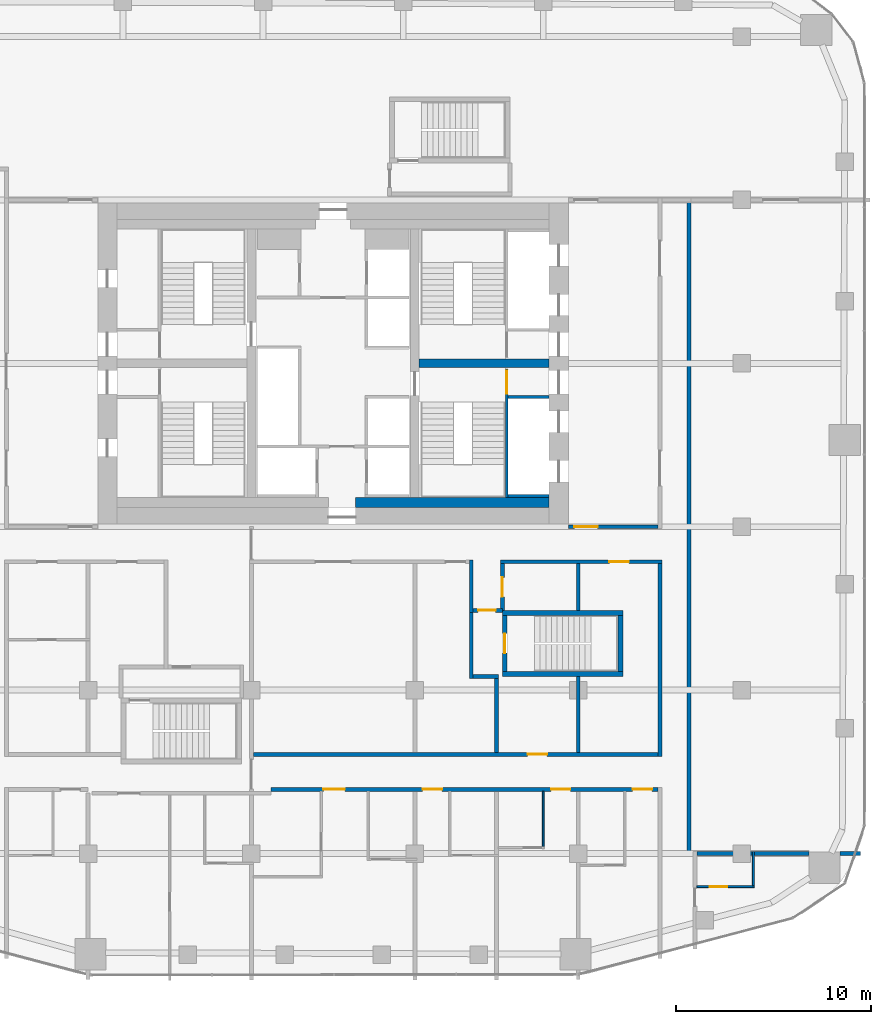
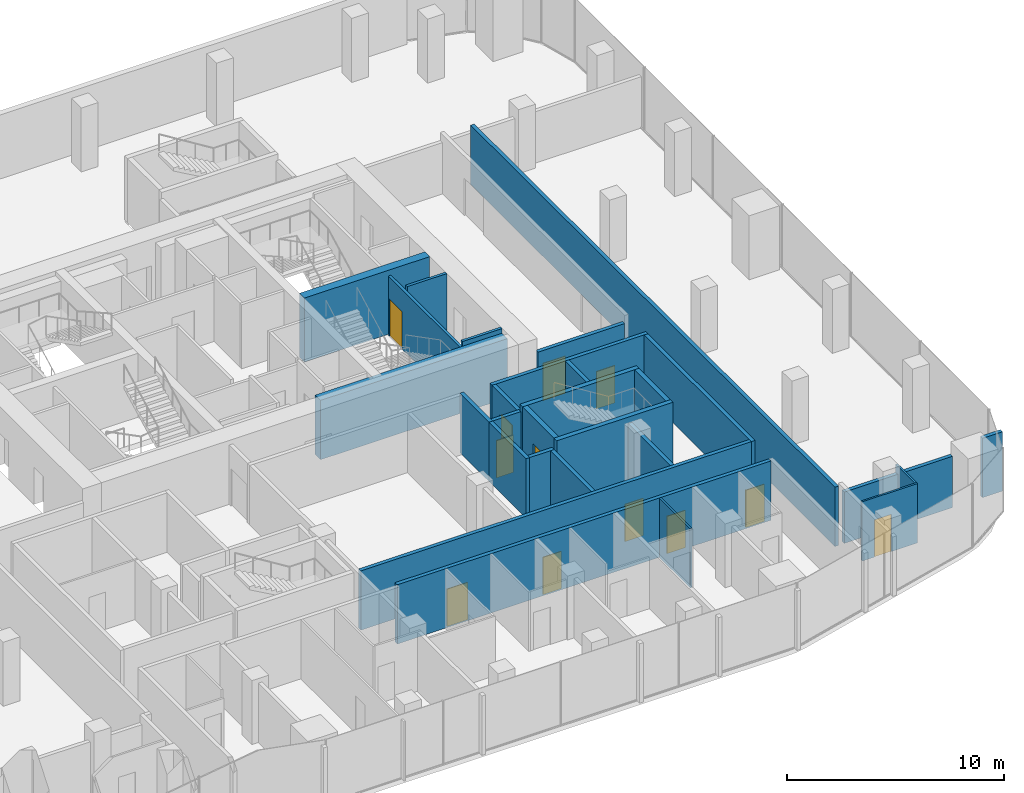
# One storey, part 16 of 21: 28 walls, 12 doors, 12 openings.
"""IFC4 building model written with IfcOpenShell, lengths in metres."""

import ifcopenshell
import ifcopenshell.guid

model = None  # the IFC model being written
_history = None  # IfcOwnerHistory: only IFC2X3 demands one
_inside = {}  # id of a spatial element -> (the spatial element, [elements in it])
_under = {}  # id of a project, library or spatial element -> (it, [spatial elements below it])
_declared = {}  # id of a project -> (the project, [libraries it declares])
_typed = {}  # id of a type object -> (the type object, [elements of that type])
_made_of = {}  # id of a material, layer set ... -> (it, [elements and type objects made of it])


def new_model(schema):
    """Start an empty IFC model of exactly this schema.

    Asked for "IFC4X3", IfcOpenShell would pick the latest addendum, in which some entities
    have other attributes; the version numbers below select the first issue.
    IFC2X3 requires an IfcOwnerHistory on every rooted entity: one is made here for all.
    """
    global model, _history
    if schema == "IFC4X3":
        model = ifcopenshell.file(schema_version=(4, 3, 0, 0))
    else:
        model = ifcopenshell.file(schema=schema)
    _inside.clear()
    _under.clear()
    _declared.clear()
    _typed.clear()
    _made_of.clear()
    _history = None
    if model.schema == "IFC2X3":
        org = make("IfcOrganization", Name="unknown")
        user = make(
            "IfcPersonAndOrganization",
            ThePerson=make("IfcPerson", FamilyName="unknown"),
            TheOrganization=org,
        )
        app = make(
            "IfcApplication",
            ApplicationDeveloper=org,
            Version="unknown",
            ApplicationFullName="unknown",
            ApplicationIdentifier="unknown",
        )
        _history = make(
            "IfcOwnerHistory",
            OwningUser=user,
            OwningApplication=app,
            ChangeAction="ADDED",
            CreationDate=0,
        )
    return model


def make(cls, **values):
    """One entity of the class cls with the attributes given. An attribute that is None is left unset."""
    return model.create_entity(
        cls, **{name: value for name, value in values.items() if value is not None}
    )


def rooted(cls, **values):
    """An entity with a GlobalId (a new one), such as an element, a storey or a relation."""
    return make(cls, GlobalId=ifcopenshell.guid.new(), OwnerHistory=_history, **values)


def si_unit(unit_type, name, prefix=None):
    """IfcSIUnit, for example si_unit("LENGTHUNIT", "METRE", prefix="MILLI")."""
    return make("IfcSIUnit", UnitType=unit_type, Prefix=prefix, Name=name)


def assignment(units):
    """IfcUnitAssignment: the units of a project."""
    return None if units is None else make("IfcUnitAssignment", Units=units)


def point(xyz):
    """IfcCartesianPoint."""
    return None if xyz is None else make("IfcCartesianPoint", Coordinates=xyz)


def direction(xyz):
    """IfcDirection."""
    return None if xyz is None else make("IfcDirection", DirectionRatios=xyz)


def frame(location, z_axis=None, x_axis=None):
    """IfcAxis2Placement3D, a coordinate frame: its origin and axes. An axis left out is left unset."""
    return make(
        "IfcAxis2Placement3D",
        Location=point(location),
        Axis=direction(z_axis),
        RefDirection=direction(x_axis),
    )


def frame_2d(location, x_axis=None):
    """IfcAxis2Placement2D, a coordinate frame in the plane: its origin and x axis."""
    return make(
        "IfcAxis2Placement2D", Location=point(location), RefDirection=direction(x_axis)
    )


def origin():
    """The frame at (0, 0, 0) with its axes left unset."""
    return frame((0.0, 0.0, 0.0))


def place(relative_to, where):
    """IfcLocalPlacement: puts the frame where relative to a parent placement (None: the world)."""
    return make(
        "IfcLocalPlacement", PlacementRelTo=relative_to, RelativePlacement=where
    )


def context(
    kind, dimensions, precision=None, world=None, true_north=None, identifier=None
):
    """IfcGeometricRepresentationContext, for example the 3D "Model" context."""
    return make(
        "IfcGeometricRepresentationContext",
        ContextIdentifier=identifier,
        ContextType=kind,
        CoordinateSpaceDimension=dimensions,
        Precision=precision,
        WorldCoordinateSystem=world,
        TrueNorth=true_north,
    )


def subcontext(parent, identifier, kind, view, scale=None):
    """IfcGeometricRepresentationSubContext, for example "Body" below "Model"."""
    return make(
        "IfcGeometricRepresentationSubContext",
        ContextIdentifier=identifier,
        ContextType=kind,
        ParentContext=parent,
        TargetScale=scale,
        TargetView=view,
    )


def project(units=None, contexts=None):
    """IfcProject with its units and contexts."""
    return rooted(
        "IfcProject",
        Name="project",
        RepresentationContexts=contexts,
        UnitsInContext=assignment(units),
    )


def spatial(cls, under=None, at=None, **own):
    """A site, building, storey or space (cls), placed at a placement, below another one or the project."""
    s = rooted(cls, ObjectPlacement=at, **own)
    if under is not None:
        _under.setdefault(under.id(), (under, []))[1].append(s)
    return s


def profile(cls, at=None, kind="AREA", **sizes):
    """A parametric profile (cls). Its sizes go by their IFC names, for example OverallWidth=200.0."""
    return make(cls, ProfileType=kind, Position=at, **sizes)


def rectangle(**sizes):
    """IfcRectangleProfileDef."""
    return profile("IfcRectangleProfileDef", **sizes)


def extrude(swept, where, along, depth):
    """IfcExtrudedAreaSolid: the profile swept, set in the frame where, extruded along a direction by depth."""
    return make(
        "IfcExtrudedAreaSolid",
        SweptArea=swept,
        Position=where,
        ExtrudedDirection=direction(along),
        Depth=depth,
    )


def shape(context_of_items, identifier, shape_type, items):
    """IfcShapeRepresentation: the items that make up one representation, for example the "Body"."""
    return make(
        "IfcShapeRepresentation",
        ContextOfItems=context_of_items,
        RepresentationIdentifier=identifier,
        RepresentationType=shape_type,
        Items=items,
    )


def material(Name=None, Category=None):
    """IfcMaterial."""
    return make("IfcMaterial", Name=Name, Category=Category)


def layer(
    of_material, thickness, ventilated=None, Name=None, Category=None, Priority=None
):
    """IfcMaterialLayer: one layer of a wall or slab, of a material (None: an air gap)."""
    return make(
        "IfcMaterialLayer",
        Material=of_material,
        LayerThickness=thickness,
        IsVentilated=ventilated,
        Name=Name,
        Category=Category,
        Priority=Priority,
    )


def layer_set(layers, Name=None):
    """IfcMaterialLayerSet."""
    return make("IfcMaterialLayerSet", MaterialLayers=layers, LayerSetName=Name)


def made_of(thing, what):
    """Note that an element or type object is made of a material, layer set ...; save() writes the relation."""
    if what is not None:
        _made_of.setdefault(what.id(), (what, []))[1].append(thing)
    return thing


def type_object(cls, material=None, **own):
    """A type object (cls), such as IfcWallType, which elements share."""
    return made_of(rooted(cls, **own), material)


def element(
    cls,
    number,
    at=None,
    inside=None,
    cuts=None,
    type_object=None,
    material=None,
    context=None,
    identifier="Body",
    shape_type=None,
    held_by="IfcProductDefinitionShape",
    body=None,
    shapes=None,
    **own,
):
    """One element of the class cls, such as IfcWall. Its Tag is "e" and its number.

    at: its placement. inside: the storey or other place that contains it. cuts: it is an
    opening in that element (IfcRelVoidsElement). A single representation is given by context,
    identifier, shape_type and body (its items); several are given by shapes. held_by: the class
    of the entity that holds the representations. save() writes the other relations.
    """
    e = rooted(cls, Tag="e%d" % number, ObjectPlacement=at, **own)
    if body is not None:
        shapes = [shape(context, identifier, shape_type, body)]
    if shapes is not None:
        e.Representation = make(held_by, Representations=shapes)
    if inside is not None:
        _inside.setdefault(inside.id(), (inside, []))[1].append(e)
    if cuts is not None:
        rooted(
            "IfcRelVoidsElement", RelatingBuildingElement=cuts, RelatedOpeningElement=e
        )
    if type_object is not None:
        _typed.setdefault(type_object.id(), (type_object, []))[1].append(e)
    return made_of(e, material)


def fill(opening, filler):
    """IfcRelFillsElement: the door or window that sits in an opening."""
    return rooted(
        "IfcRelFillsElement",
        RelatingOpeningElement=opening,
        RelatedBuildingElement=filler,
    )


def aggregate(whole, parts):
    """IfcRelAggregates: a whole, such as a stair, and the parts it consists of."""
    return rooted("IfcRelAggregates", RelatingObject=whole, RelatedObjects=parts)


def save(model, path):
    """Write the relations noted so far, then the file.

    IfcRelAggregates (storeys below a building ...), IfcRelContainedInSpatialStructure (elements
    in a storey), IfcRelDefinesByType, IfcRelAssociatesMaterial and IfcRelDeclares: one each for
    every whole, place, type object, material and project.
    """
    for whole, parts in _under.values():
        aggregate(whole, parts)
    for where, things in _inside.values():
        rooted(
            "IfcRelContainedInSpatialStructure",
            RelatedElements=things,
            RelatingStructure=where,
        )
    for kind, things in _typed.values():
        rooted("IfcRelDefinesByType", RelatedObjects=things, RelatingType=kind)
    for what, things in _made_of.values():
        rooted("IfcRelAssociatesMaterial", RelatedObjects=things, RelatingMaterial=what)
    for by, libraries in _declared.values():
        rooted("IfcRelDeclares", RelatingContext=by, RelatedDefinitions=libraries)
    model.write(path)


model = new_model("IFC4")

# Units and contexts
model_context = context("Model", 3, precision=1e-05, world=origin(), true_north=direction((0.0, 1.0)))
body_context = subcontext(model_context, "Body", "Model", "MODEL_VIEW")
ifc_project = project(units=[si_unit("LENGTHUNIT", "METRE"), si_unit("AREAUNIT", "SQUARE_METRE"), si_unit("VOLUMEUNIT", "CUBIC_METRE"), si_unit("PLANEANGLEUNIT", "RADIAN"), si_unit("MASSUNIT", "GRAM", prefix="KILO")], contexts=[model_context])

# Site, building, storey
site_placement = place(None, origin())
site = spatial("IfcSite", under=ifc_project, at=site_placement, CompositionType="ELEMENT")
building_placement = place(site_placement, origin())
building = spatial("IfcBuilding", under=site, at=building_placement, Name="Marenta Gate Hotel Tower", CompositionType="ELEMENT")
storey_placement = place(building_placement, frame((0.0, 0.0, 133.699951171875)))
storey = spatial("IfcBuildingStorey", under=building, at=storey_placement, Name="L30", CompositionType="ELEMENT", Elevation=133.699951171875)

# Wall, opening, door
ifc_material_1 = material(Name="Concrete blockwork", Category="masonry")
ifc_layer_1 = layer(ifc_material_1, 0.199951171875)
ifc_layer_set_1 = layer_set([ifc_layer_1], Name="Concrete blockwork")
wall_type_1 = type_object("IfcWallType", Name="Core boundary wall 200 REI 180", PredefinedType="PARTITIONING", material=ifc_layer_set_1)
wall_1_placement = place(storey_placement, frame((12.10009765625, 0.0, 0.0), z_axis=(0.0, 0.0, 1.0), x_axis=(1.0, 0.0, 0.0)))
wall_1 = element("IfcWall", 1, at=wall_1_placement, inside=storey, type_object=wall_type_1, Name="L30-CP-EW-ES", PredefinedType="PARTITIONING", context=body_context, shape_type="SweptSolid", body=[
    extrude(rectangle(XDim=4.599853515625, YDim=0.199951171875, at=frame_2d((2.2998046875, 0.0))), origin(), (0.0, 0.0, 1.0), 2.89013671875),
])
opening_1_placement = place(wall_1_placement, frame((0.300048828125, 0.0, 0.0)))
opening_1 = element("IfcOpeningElement", 2, at=opening_1_placement, cuts=wall_1, Name="Opening RFD-ES", PredefinedType="OPENING", context=body_context, shape_type="SweptSolid", body=[
    extrude(rectangle(XDim=1.199951171875, YDim=2.10009765625, at=frame_2d((0.60009765625, 1.050048828125))), frame((0.0, 0.10009765625, 0.0), z_axis=(0.0, -1.0, 0.0), x_axis=(1.0, 0.0, 0.0)), (0.0, 0.0, 1.0), 0.199951171875),
])
ifc_material_2 = material(Name="Steel", Category="steel")
door_type_1 = type_object("IfcDoorType", Name="Core lobby door 1200x2100 FD60", OperationType="SINGLE_SWING_LEFT", PredefinedType="DOOR", material=ifc_material_2)
door_1_placement = place(opening_1_placement, origin())
door_1 = element("IfcDoor", 3, at=door_1_placement, inside=storey, type_object=door_type_1, Name="RFD-ES", OperationType="SINGLE_SWING_LEFT", OverallHeight=2.10009765625, OverallWidth=1.199951171875, PredefinedType="DOOR", context=body_context, shape_type="SweptSolid", body=[
    extrude(rectangle(XDim=1.199951171875, YDim=2.10009765625, at=frame_2d((0.60009765625, 1.050048828125))), frame((0.0, 0.02490234375, 0.0), z_axis=(0.0, -1.0, 0.0), x_axis=(1.0, 0.0, 0.0)), (0.0, 0.0, 1.0), 0.050048828125),
])
fill(opening_1, door_1)

# Walls
ifc_material_3 = material(Name="Concrete C40", Category="concrete")
ifc_layer_2 = layer(ifc_material_3, 0.5)
ifc_layer_set_2 = layer_set([ifc_layer_2], Name="Concrete C40")
wall_type_2 = type_object("IfcWallType", Name="Core lining wall 500 REI 180", PredefinedType="PARTITIONING", material=ifc_layer_set_2)
wall_2_placement = place(storey_placement, frame((1.14990234375, 1.25, 0.0), z_axis=(0.0, 0.0, 1.0), x_axis=(1.0, 0.0, 0.0)))
element("IfcWall", 4, at=wall_2_placement, inside=storey, type_object=wall_type_2, Name="L30-CP-LN-S2", PredefinedType="PARTITIONING", context=body_context, shape_type="SweptSolid", body=[
    extrude(rectangle(XDim=9.9501953125, YDim=0.5, at=frame_2d((4.97509765625, 0.0))), origin(), (0.0, 0.0, 1.0), 3.340087890625),
])
ifc_material_4 = material(Name="Concrete C40", Category="concrete")
ifc_layer_3 = layer(ifc_material_4, 0.14990234375)
ifc_layer_set_3 = layer_set([ifc_layer_3], Name="Concrete C40")
wall_type_3 = type_object("IfcWallType", Name="Core shaft wall 150 REI 180", PredefinedType="SHEAR", material=ifc_layer_set_3)
for number, where, z_axis, x_axis, name in (
    (5, (9.0, 6.675048828125, 0.0), (0.0, 0.0, 1.0), (1.0, 0.0, 0.0), "L30-SHF-SW-ES-2"),
    (6, (9.0, 1.574951171875, 0.0), (0.0, 0.0, 1.0), (1.0, 0.0, 0.0), "L30-SHF-SW-ES-5"),
):
    element("IfcWall", number, at=place(storey_placement, frame(where, z_axis=z_axis, x_axis=x_axis)), inside=storey, type_object=wall_type_3, Name=name, PredefinedType="SHEAR", context=body_context, shape_type="SweptSolid", body=[
        extrude(rectangle(XDim=2.10009765625, YDim=0.14990234375, at=frame_2d((1.050048828125, 0.0))), origin(), (0.0, 0.0, 1.0), 3.60009765625),
    ])

# Wall, opening, door
ifc_material_5 = material(Name="Concrete C40", Category="concrete")
ifc_layer_4 = layer(ifc_material_5, 0.14990234375)
ifc_layer_set_4 = layer_set([ifc_layer_4], Name="Concrete C40")
wall_type_4 = type_object("IfcWallType", Name="Core stair enclosure wall 150 REI 180", PredefinedType="SHEAR", material=ifc_layer_set_4)
wall_3_placement = place(storey_placement, frame((8.925048828125, 1.5, 0.0), z_axis=(0.0, 0.0, 1.0), x_axis=(0.0, 1.0, 0.0)))
wall_3 = element("IfcWall", 7, at=wall_3_placement, inside=storey, type_object=wall_type_4, Name="L30-SHF-SW-ES-3", PredefinedType="SHEAR", context=body_context, shape_type="SweptSolid", body=[
    extrude(rectangle(XDim=6.60009765625, YDim=0.14990234375, at=frame_2d((3.300048828125, 0.0))), origin(), (0.0, 0.0, 1.0), 3.340087890625),
])
opening_2_placement = place(wall_3_placement, frame((5.324951171875, 0.0, 0.0)))
opening_2 = element("IfcOpeningElement", 8, at=opening_2_placement, cuts=wall_3, Name="Opening SD-ES", PredefinedType="OPENING", context=body_context, shape_type="SweptSolid", body=[
    extrude(rectangle(XDim=1.199951171875, YDim=2.10009765625, at=frame_2d((0.60009765625, 1.050048828125))), frame((0.0, 0.074951171875, 0.0), z_axis=(0.0, -1.0, 0.0), x_axis=(1.0, 0.0, 0.0)), (0.0, 0.0, 1.0), 0.14990234375),
])
ifc_material_6 = material(Name="Steel", Category="steel")
door_type_2 = type_object("IfcDoorType", Name="Core stair door 1200x2100 FD60", OperationType="SINGLE_SWING_LEFT", PredefinedType="DOOR", material=ifc_material_6)
door_2_placement = place(opening_2_placement, origin())
door_2 = element("IfcDoor", 9, at=door_2_placement, inside=storey, type_object=door_type_2, Name="SD-ES", OperationType="SINGLE_SWING_LEFT", OverallHeight=2.10009765625, OverallWidth=1.199951171875, PredefinedType="DOOR", context=body_context, shape_type="SweptSolid", body=[
    extrude(rectangle(XDim=1.199951171875, YDim=2.10009765625, at=frame_2d((0.60009765625, 1.050048828125))), frame((0.0, 0.02490234375, 0.0), z_axis=(0.0, -1.0, 0.0), x_axis=(1.0, 0.0, 0.0)), (0.0, 0.0, 1.0), 0.050048828125),
])
fill(opening_2, door_2)

# Walls
ifc_material_7 = material(Name="Concrete C70", Category="concrete")
ifc_layer_5 = layer(ifc_material_7, 0.449951171875)
ifc_layer_set_5 = layer_set([ifc_layer_5], Name="Concrete C70")
wall_type_5 = type_object("IfcWallType", Name="Core web 450 C70", PredefinedType="SHEAR", material=ifc_layer_set_5)
wall_4_placement = place(storey_placement, frame((4.425048828125, 8.39990234375, 0.0), z_axis=(0.0, 0.0, 1.0), x_axis=(1.0, 0.0, 0.0)))
element("IfcWall", 10, at=wall_4_placement, inside=storey, type_object=wall_type_5, Name="L30-CORE-W4", PredefinedType="SHEAR", context=body_context, shape_type="SweptSolid", body=[
    extrude(rectangle(XDim=6.675048828125, YDim=0.449951171875, at=frame_2d((3.33740234375, 0.0))), origin(), (0.0, 0.0, 1.0), 3.60009765625),
])
ifc_material_8 = material(Name="Concrete C40", Category="concrete")
ifc_layer_6 = layer(ifc_material_8, 0.25)
ifc_layer_set_6 = layer_set([ifc_layer_6], Name="Concrete C40")
wall_type_6 = type_object("IfcWallType", Name="Remote stair enclosure wall 250 REI 180", PredefinedType="SHEAR", material=ifc_layer_set_6)
for number, where, z_axis, x_axis, name in (
    (11, (8.699951171875, -7.574951171875, 0.10009765625), (0.0, 0.0, 1.0), (1.0, 0.0, 0.0), "L30-RS-Z2-2-W1"),
    (12, (8.699951171875, -4.425048828125, 0.10009765625), (0.0, 0.0, 1.0), (1.0, 0.0, 0.0), "L30-RS-Z2-2-W2"),
):
    element("IfcWall", number, at=place(storey_placement, frame(where, z_axis=z_axis, x_axis=x_axis)), inside=storey, type_object=wall_type_6, Name=name, PredefinedType="SHEAR", context=body_context, shape_type="SweptSolid", body=[
        extrude(rectangle(XDim=6.199951171875, YDim=0.25, at=frame_2d((3.10009765625, 0.0))), origin(), (0.0, 0.0, 1.0), 3.599853515625),
    ])

# Wall, opening, door
wall_5_placement = place(storey_placement, frame((8.824951171875, -7.449951171875, 0.10009765625), z_axis=(0.0, 0.0, 1.0), x_axis=(0.0, 1.0, 0.0)))
wall_5 = element("IfcWall", 13, at=wall_5_placement, inside=storey, type_object=wall_type_6, Name="L30-RS-Z2-2-W3", PredefinedType="SHEAR", context=body_context, shape_type="SweptSolid", body=[
    extrude(rectangle(XDim=2.89990234375, YDim=0.25, at=frame_2d((1.449951171875, 0.0))), origin(), (0.0, 0.0, 1.0), 3.599853515625),
])
opening_3_placement = place(wall_5_placement, frame((0.949951171875, 0.0, 0.0)))
opening_3 = element("IfcOpeningElement", 14, at=opening_3_placement, cuts=wall_5, Name="Opening VD", PredefinedType="OPENING", context=body_context, shape_type="SweptSolid", body=[
    extrude(rectangle(XDim=1.0, YDim=2.10009765625, at=frame_2d((0.5, 1.050048828125))), frame((0.0, 0.125, 0.0), z_axis=(0.0, -1.0, 0.0), x_axis=(1.0, 0.0, 0.0)), (0.0, 0.0, 1.0), 0.25),
])
ifc_material_9 = material(Name="Steel", Category="steel")
door_type_3 = type_object("IfcDoorType", Name="Stair vestibule door 1000x2100 FD60", OperationType="SINGLE_SWING_LEFT", PredefinedType="DOOR", material=ifc_material_9)
door_3_placement = place(opening_3_placement, origin())
door_3 = element("IfcDoor", 15, at=door_3_placement, inside=storey, type_object=door_type_3, Name="VD", OperationType="SINGLE_SWING_LEFT", OverallHeight=2.10009765625, OverallWidth=1.0, PredefinedType="DOOR", context=body_context, shape_type="SweptSolid", body=[
    extrude(rectangle(XDim=1.0, YDim=2.10009765625, at=frame_2d((0.5, 1.050048828125))), frame((0.0, 0.02490234375, 0.0), z_axis=(0.0, -1.0, 0.0), x_axis=(1.0, 0.0, 0.0)), (0.0, 0.0, 1.0), 0.050048828125),
])
fill(opening_3, door_3)

# Walls
wall_6_placement = place(storey_placement, frame((14.77490234375, -7.449951171875, 0.10009765625), z_axis=(0.0, 0.0, 1.0), x_axis=(0.0, 1.0, 0.0)))
element("IfcWall", 16, at=wall_6_placement, inside=storey, type_object=wall_type_6, Name="L30-RS-Z2-2-W4", PredefinedType="SHEAR", context=body_context, shape_type="SweptSolid", body=[
    extrude(rectangle(XDim=2.89990234375, YDim=0.25, at=frame_2d((1.449951171875, 0.0))), origin(), (0.0, 0.0, 1.0), 3.599853515625),
])
ifc_material_10 = material(Name="Gypsum board on steel stud", Category="steel")
ifc_layer_7 = layer(ifc_material_10, 0.199951171875)
ifc_layer_set_7 = layer_set([ifc_layer_7], Name="Gypsum board on steel stud")
wall_type_7 = type_object("IfcWallType", Name="Room corridor wall 200 EI 60", PredefinedType="PARTITIONING", material=ifc_layer_set_7)
wall_7_placement = place(storey_placement, frame((16.800048828125, -11.800048828125, 0.0), z_axis=(0.0, 0.0, 1.0), x_axis=(0.0, 1.0, 0.0)))
element("IfcWall", 17, at=wall_7_placement, inside=storey, type_object=wall_type_7, Name="L30-PTN-W013", PredefinedType="PARTITIONING", context=body_context, shape_type="SweptSolid", body=[
    extrude(rectangle(XDim=9.900146484375, YDim=0.199951171875, at=frame_2d((4.9501953125, 0.0))), origin(), (0.0, 0.0, 1.0), 3.340087890625),
])

# Wall, openings, doors
wall_8_placement = place(storey_placement, frame((-3.199951171875, -13.5, 0.0), z_axis=(0.0, 0.0, 1.0), x_axis=(1.0, 0.0, 0.0)))
wall_8 = element("IfcWall", 18, at=wall_8_placement, inside=storey, type_object=wall_type_7, Name="L30-PTN-W021", PredefinedType="PARTITIONING", context=body_context, shape_type="SweptSolid", body=[
    extrude(rectangle(XDim=19.89990234375, YDim=0.199951171875, at=frame_2d((9.949951171875, 0.0))), origin(), (0.0, 0.0, 1.0), 3.340087890625),
])
opening_4_placement = place(wall_8_placement, frame((2.699951171875, 0.0, 0.0)))
opening_4 = element("IfcOpeningElement", 19, at=opening_4_placement, cuts=wall_8, Name="Opening G11-14", PredefinedType="OPENING", context=body_context, shape_type="SweptSolid", body=[
    extrude(rectangle(XDim=1.10009765625, YDim=2.10009765625, at=frame_2d((0.550048828125, 1.050048828125))), frame((0.0, 0.10009765625, 0.0), z_axis=(0.0, -1.0, 0.0), x_axis=(1.0, 0.0, 0.0)), (0.0, 0.0, 1.0), 0.199951171875),
])
opening_5_placement = place(wall_8_placement, frame((7.800048828125, 0.0, 0.0)))
opening_5 = element("IfcOpeningElement", 20, at=opening_5_placement, cuts=wall_8, Name="Opening G11-17", PredefinedType="OPENING", context=body_context, shape_type="SweptSolid", body=[
    extrude(rectangle(XDim=1.0, YDim=2.10009765625, at=frame_2d((0.5, 1.050048828125))), frame((0.0, 0.10009765625, 0.0), z_axis=(0.0, -1.0, 0.0), x_axis=(1.0, 0.0, 0.0)), (0.0, 0.0, 1.0), 0.199951171875),
])
opening_6_placement = place(wall_8_placement, frame((14.39990234375, 0.0, 0.0)))
opening_6 = element("IfcOpeningElement", 21, at=opening_6_placement, cuts=wall_8, Name="Opening G11-19", PredefinedType="OPENING", context=body_context, shape_type="SweptSolid", body=[
    extrude(rectangle(XDim=1.0, YDim=2.10009765625, at=frame_2d((0.5, 1.050048828125))), frame((0.0, 0.10009765625, 0.0), z_axis=(0.0, -1.0, 0.0), x_axis=(1.0, 0.0, 0.0)), (0.0, 0.0, 1.0), 0.199951171875),
])
opening_7_placement = place(wall_8_placement, frame((18.60009765625, 0.0, 0.0)))
opening_7 = element("IfcOpeningElement", 22, at=opening_7_placement, cuts=wall_8, Name="Opening G11-21", PredefinedType="OPENING", context=body_context, shape_type="SweptSolid", body=[
    extrude(rectangle(XDim=1.0, YDim=2.10009765625, at=frame_2d((0.5, 1.050048828125))), frame((0.0, 0.10009765625, 0.0), z_axis=(0.0, -1.0, 0.0), x_axis=(1.0, 0.0, 0.0)), (0.0, 0.0, 1.0), 0.199951171875),
])
ifc_material_11 = material(Name="Timber door leaf", Category="wood")
door_type_4 = type_object("IfcDoorType", Name="Guest room door 1000x2100 EI 30", OperationType="NOTDEFINED", PredefinedType="DOOR", material=ifc_material_11)
door_4_placement = place(opening_5_placement, origin())
door_4 = element("IfcDoor", 23, at=door_4_placement, inside=storey, type_object=door_type_4, Name="L30-PD-D017", OperationType="SINGLE_SWING_LEFT", OverallHeight=2.10009765625, OverallWidth=1.0, PredefinedType="DOOR", context=body_context, shape_type="SweptSolid", body=[
    extrude(rectangle(XDim=1.0, YDim=2.10009765625, at=frame_2d((0.5, 1.050048828125))), frame((0.0, 0.02490234375, 0.0), z_axis=(0.0, -1.0, 0.0), x_axis=(1.0, 0.0, 0.0)), (0.0, 0.0, 1.0), 0.050048828125),
])
fill(opening_5, door_4)
door_5_placement = place(opening_6_placement, origin())
door_5 = element("IfcDoor", 24, at=door_5_placement, inside=storey, type_object=door_type_4, Name="L30-PD-D019", OperationType="SINGLE_SWING_LEFT", OverallHeight=2.10009765625, OverallWidth=1.0, PredefinedType="DOOR", context=body_context, shape_type="SweptSolid", body=[
    extrude(rectangle(XDim=1.0, YDim=2.10009765625, at=frame_2d((0.5, 1.050048828125))), frame((0.0, 0.02490234375, 0.0), z_axis=(0.0, -1.0, 0.0), x_axis=(1.0, 0.0, 0.0)), (0.0, 0.0, 1.0), 0.050048828125),
])
fill(opening_6, door_5)
door_6_placement = place(opening_7_placement, origin())
door_6 = element("IfcDoor", 25, at=door_6_placement, inside=storey, type_object=door_type_4, Name="L30-PD-D021", OperationType="SINGLE_SWING_LEFT", OverallHeight=2.10009765625, OverallWidth=1.0, PredefinedType="DOOR", context=body_context, shape_type="SweptSolid", body=[
    extrude(rectangle(XDim=1.0, YDim=2.10009765625, at=frame_2d((0.5, 1.050048828125))), frame((0.0, 0.02490234375, 0.0), z_axis=(0.0, -1.0, 0.0), x_axis=(1.0, 0.0, 0.0)), (0.0, 0.0, 1.0), 0.050048828125),
])
fill(opening_7, door_6)
ifc_material_12 = material(Name="Timber door leaf", Category="wood")
door_type_5 = type_object("IfcDoorType", Name="Guest room door 1100x2100 EI 30", OperationType="NOTDEFINED", PredefinedType="DOOR", material=ifc_material_12)
door_7_placement = place(opening_4_placement, origin())
door_7 = element("IfcDoor", 26, at=door_7_placement, inside=storey, type_object=door_type_5, Name="L30-PD-D014", OperationType="SINGLE_SWING_RIGHT", OverallHeight=2.10009765625, OverallWidth=1.10009765625, PredefinedType="DOOR", context=body_context, shape_type="SweptSolid", body=[
    extrude(rectangle(XDim=1.10009765625, YDim=2.10009765625, at=frame_2d((0.550048828125, 1.050048828125))), frame((0.0, 0.02490234375, 0.0), z_axis=(0.0, -1.0, 0.0), x_axis=(1.0, 0.0, 0.0)), (0.0, 0.0, 1.0), 0.050048828125),
])
fill(opening_4, door_7)

# Wall, opening, door
wall_9_placement = place(storey_placement, frame((-4.10009765625, -11.699951171875, 0.0), z_axis=(0.0, 0.0, 1.0), x_axis=(1.0, 0.0, 0.0)))
wall_9 = element("IfcWall", 27, at=wall_9_placement, inside=storey, type_object=wall_type_7, Name="L30-PTN-W026", PredefinedType="PARTITIONING", context=body_context, shape_type="SweptSolid", body=[
    extrude(rectangle(XDim=20.800048828125, YDim=0.199951171875, at=frame_2d((10.39990234375, 0.0))), origin(), (0.0, 0.0, 1.0), 3.340087890625),
])
opening_8_placement = place(wall_9_placement, frame((14.10009765625, 0.0, 0.0)))
opening_8 = element("IfcOpeningElement", 28, at=opening_8_placement, cuts=wall_9, Name="Opening G11-31", PredefinedType="OPENING", context=body_context, shape_type="SweptSolid", body=[
    extrude(rectangle(XDim=1.0, YDim=2.10009765625, at=frame_2d((0.5, 1.050048828125))), frame((0.0, 0.10009765625, 0.0), z_axis=(0.0, -1.0, 0.0), x_axis=(1.0, 0.0, 0.0)), (0.0, 0.0, 1.0), 0.199951171875),
])
ifc_material_13 = material(Name="Timber door leaf", Category="wood")
door_type_6 = type_object("IfcDoorType", Name="Room amenity door 1000x2100 EI 30", OperationType="NOTDEFINED", PredefinedType="DOOR", material=ifc_material_13)
door_8_placement = place(opening_8_placement, origin())
door_8 = element("IfcDoor", 29, at=door_8_placement, inside=storey, type_object=door_type_6, Name="L30-PD-D031", OperationType="SINGLE_SWING_LEFT", OverallHeight=2.10009765625, OverallWidth=1.0, PredefinedType="DOOR", context=body_context, shape_type="SweptSolid", body=[
    extrude(rectangle(XDim=1.0, YDim=2.10009765625, at=frame_2d((0.5, 1.050048828125))), frame((0.0, 0.02490234375, 0.0), z_axis=(0.0, -1.0, 0.0), x_axis=(1.0, 0.0, 0.0)), (0.0, 0.0, 1.0), 0.050048828125),
])
fill(opening_8, door_8)

wall_10_placement = place(storey_placement, frame((8.699951171875, -4.300048828125, 0.0), z_axis=(0.0, 0.0, 1.0), x_axis=(0.0, 1.0, 0.0)))
wall_10 = element("IfcWall", 30, at=wall_10_placement, inside=storey, type_object=wall_type_7, Name="L30-PTN-W029", PredefinedType="PARTITIONING", context=body_context, shape_type="SweptSolid", body=[
    extrude(rectangle(XDim=2.400146484375, YDim=0.199951171875, at=frame_2d((1.2001953125, 0.0))), origin(), (0.0, 0.0, 1.0), 3.340087890625),
])
opening_9_placement = place(wall_10_placement, frame((0.699951171875, 0.0, 0.0)))
opening_9 = element("IfcOpeningElement", 31, at=opening_9_placement, cuts=wall_10, Name="Opening G11-32", PredefinedType="OPENING", context=body_context, shape_type="SweptSolid", body=[
    extrude(rectangle(XDim=1.0, YDim=2.10009765625, at=frame_2d((0.5, 1.050048828125))), frame((0.0, 0.10009765625, 0.0), z_axis=(0.0, -1.0, 0.0), x_axis=(1.0, 0.0, 0.0)), (0.0, 0.0, 1.0), 0.199951171875),
])
door_9_placement = place(opening_9_placement, origin())
door_9 = element("IfcDoor", 32, at=door_9_placement, inside=storey, type_object=door_type_6, Name="L30-PD-D032", OperationType="SINGLE_SWING_LEFT", OverallHeight=2.10009765625, OverallWidth=1.0, PredefinedType="DOOR", context=body_context, shape_type="SweptSolid", body=[
    extrude(rectangle(XDim=1.0, YDim=2.10009765625, at=frame_2d((0.5, 1.050048828125))), frame((0.0, 0.02490234375, 0.0), z_axis=(0.0, -1.0, 0.0), x_axis=(1.0, 0.0, 0.0)), (0.0, 0.0, 1.0), 0.050048828125),
])
fill(opening_9, door_9)

# Wall
wall_11_placement = place(storey_placement, frame((7.10009765625, -4.39990234375, 0.0), z_axis=(0.0, 0.0, 1.0), x_axis=(0.0, 1.0, 0.0)))
element("IfcWall", 33, at=wall_11_placement, inside=storey, type_object=wall_type_7, Name="L30-PTN-W036", PredefinedType="PARTITIONING", context=body_context, shape_type="SweptSolid", body=[
    extrude(rectangle(XDim=2.699951171875, YDim=0.199951171875, at=frame_2d((1.35009765625, 0.0))), origin(), (0.0, 0.0, 1.0), 3.340087890625),
])

# Wall, opening, door
wall_12_placement = place(storey_placement, frame((8.60009765625, -1.800048828125, 0.0), z_axis=(0.0, 0.0, 1.0), x_axis=(1.0, 0.0, 0.0)))
wall_12 = element("IfcWall", 34, at=wall_12_placement, inside=storey, type_object=wall_type_7, Name="L30-PTN-W046", PredefinedType="PARTITIONING", context=body_context, shape_type="SweptSolid", body=[
    extrude(rectangle(XDim=8.2998046875, YDim=0.199951171875, at=frame_2d((4.14990234375, 0.0))), origin(), (0.0, 0.0, 1.0), 3.340087890625),
])
opening_10_placement = place(wall_12_placement, frame((5.60009765625, 0.0, 0.0)))
opening_10 = element("IfcOpeningElement", 35, at=opening_10_placement, cuts=wall_12, Name="Opening G11-06", PredefinedType="OPENING", context=body_context, shape_type="SweptSolid", body=[
    extrude(rectangle(XDim=1.0, YDim=2.10009765625, at=frame_2d((0.5, 1.050048828125))), frame((0.0, 0.10009765625, 0.0), z_axis=(0.0, -1.0, 0.0), x_axis=(1.0, 0.0, 0.0)), (0.0, 0.0, 1.0), 0.199951171875),
])
door_10_placement = place(opening_10_placement, origin())
door_10 = element("IfcDoor", 36, at=door_10_placement, inside=storey, type_object=door_type_6, Name="L30-PD-D006", OperationType="SINGLE_SWING_RIGHT", OverallHeight=2.10009765625, OverallWidth=1.0, PredefinedType="DOOR", context=body_context, shape_type="SweptSolid", body=[
    extrude(rectangle(XDim=1.0, YDim=2.10009765625, at=frame_2d((0.5, 1.050048828125))), frame((0.0, 0.02490234375, 0.0), z_axis=(0.0, -1.0, 0.0), x_axis=(1.0, 0.0, 0.0)), (0.0, 0.0, 1.0), 0.050048828125),
])
fill(opening_10, door_10)

# Wall
ifc_material_14 = material(Name="Concrete blockwork", Category="masonry")
ifc_layer_8 = layer(ifc_material_14, 0.199951171875)
ifc_layer_set_8 = layer_set([ifc_layer_8], Name="Concrete blockwork")
wall_type_8 = type_object("IfcWallType", Name="Room corridor wall 200 REI 180", PredefinedType="PARTITIONING", material=ifc_layer_set_8)
wall_13_placement = place(storey_placement, frame((18.300048828125, -16.89990234375, 0.0), z_axis=(0.0, 0.0, 1.0), x_axis=(0.0, 1.0, 0.0)))
element("IfcWall", 37, at=wall_13_placement, inside=storey, type_object=wall_type_8, Name="L30-PTN-W005", PredefinedType="PARTITIONING", context=body_context, shape_type="SweptSolid", body=[
    extrude(rectangle(XDim=33.599853515625, YDim=0.199951171875, at=frame_2d((16.7998046875, 0.0))), origin(), (0.0, 0.0, 1.0), 3.340087890625),
])

# Wall, opening, door
wall_14_placement = place(storey_placement, frame((7.199951171875, -4.300048828125, 0.0), z_axis=(0.0, 0.0, 1.0), x_axis=(1.0, 0.0, 0.0)))
wall_14 = element("IfcWall", 38, at=wall_14_placement, inside=storey, type_object=wall_type_8, Name="L30-PTN-W039", PredefinedType="PARTITIONING", context=body_context, shape_type="SweptSolid", body=[
    extrude(rectangle(XDim=1.5, YDim=0.199951171875, at=frame_2d((0.75, 0.0))), origin(), (0.0, 0.0, 1.0), 3.340087890625),
])
opening_11_placement = place(wall_14_placement, frame((0.25, 0.0, 0.0)))
opening_11 = element("IfcOpeningElement", 39, at=opening_11_placement, cuts=wall_14, Name="Opening G11-29", PredefinedType="OPENING", context=body_context, shape_type="SweptSolid", body=[
    extrude(rectangle(XDim=0.89990234375, YDim=2.10009765625, at=frame_2d((0.449951171875, 1.050048828125))), frame((0.0, 0.10009765625, 0.0), z_axis=(0.0, -1.0, 0.0), x_axis=(1.0, 0.0, 0.0)), (0.0, 0.0, 1.0), 0.199951171875),
])
ifc_material_15 = material(Name="Hollow steel door set", Category="steel")
door_type_7 = type_object("IfcDoorType", Name="Stair vestibule door 900x2100 EI 60", OperationType="NOTDEFINED", PredefinedType="DOOR", material=ifc_material_15)
door_11_placement = place(opening_11_placement, origin())
door_11 = element("IfcDoor", 40, at=door_11_placement, inside=storey, type_object=door_type_7, Name="L30-PD-D029", OperationType="SINGLE_SWING_LEFT", OverallHeight=2.10009765625, OverallWidth=0.89990234375, PredefinedType="DOOR", context=body_context, shape_type="SweptSolid", body=[
    extrude(rectangle(XDim=0.89990234375, YDim=2.10009765625, at=frame_2d((0.449951171875, 1.050048828125))), frame((0.0, 0.02490234375, 0.0), z_axis=(0.0, -1.0, 0.0), x_axis=(1.0, 0.0, 0.0)), (0.0, 0.0, 1.0), 0.050048828125),
])
fill(opening_11, door_11)

# Wall
ifc_material_16 = material(Name="Gypsum board on steel stud", Category="steel")
ifc_layer_9 = layer(ifc_material_16, 0.10009765625)
ifc_layer_set_9 = layer_set([ifc_layer_9], Name="Gypsum board on steel stud")
wall_type_9 = type_object("IfcWallType", Name="Room partition 100", PredefinedType="PARTITIONING", material=ifc_layer_set_9)
wall_15_placement = place(storey_placement, frame((21.60009765625, -18.449951171875, 0.0), z_axis=(0.0, 0.0, 1.0), x_axis=(0.0, 1.0, 0.0)))
element("IfcWall", 41, at=wall_15_placement, inside=storey, type_object=wall_type_9, Name="L30-PTN-W001", PredefinedType="PARTITIONING", context=body_context, shape_type="SweptSolid", body=[
    extrude(rectangle(XDim=1.75, YDim=0.10009765625, at=frame_2d((0.875, 0.0))), origin(), (0.0, 0.0, 1.0), 3.340087890625),
])

# Wall, opening, door
wall_16_placement = place(storey_placement, frame((18.699951171875, -18.5, 0.0), z_axis=(0.0, 0.0, 1.0), x_axis=(1.0, 0.0, 0.0)))
wall_16 = element("IfcWall", 42, at=wall_16_placement, inside=storey, type_object=wall_type_9, Name="L30-PTN-W004", PredefinedType="PARTITIONING", context=body_context, shape_type="SweptSolid", body=[
    extrude(rectangle(XDim=2.949951171875, YDim=0.10009765625, at=frame_2d((1.47509765625, 0.0))), origin(), (0.0, 0.0, 1.0), 3.340087890625),
])
opening_12_placement = place(wall_16_placement, frame((0.64990234375, 0.0, 0.0)))
opening_12 = element("IfcOpeningElement", 43, at=opening_12_placement, cuts=wall_16, Name="Opening G11-08", PredefinedType="OPENING", context=body_context, shape_type="SweptSolid", body=[
    extrude(rectangle(XDim=0.89990234375, YDim=2.10009765625, at=frame_2d((0.449951171875, 1.050048828125))), frame((0.0, 0.050048828125, 0.0), z_axis=(0.0, -1.0, 0.0), x_axis=(1.0, 0.0, 0.0)), (0.0, 0.0, 1.0), 0.10009765625),
])
ifc_material_17 = material(Name="Timber door leaf", Category="wood")
door_type_8 = type_object("IfcDoorType", Name="Guest bathroom door 900x2100", OperationType="NOTDEFINED", PredefinedType="DOOR", material=ifc_material_17)
door_12_placement = place(opening_12_placement, origin())
door_12 = element("IfcDoor", 44, at=door_12_placement, inside=storey, type_object=door_type_8, Name="L30-PD-D008", OperationType="SINGLE_SWING_LEFT", OverallHeight=2.10009765625, OverallWidth=0.89990234375, PredefinedType="DOOR", context=body_context, shape_type="SweptSolid", body=[
    extrude(rectangle(XDim=0.89990234375, YDim=2.10009765625, at=frame_2d((0.449951171875, 1.050048828125))), frame((0.0, 0.02490234375, 0.0), z_axis=(0.0, -1.0, 0.0), x_axis=(1.0, 0.0, 0.0)), (0.0, 0.0, 1.0), 0.050048828125),
])
fill(opening_12, door_12)

# Walls
wall_17_placement = place(storey_placement, frame((10.800048828125, -16.449951171875, 0.0), z_axis=(0.0, 0.0, 1.0), x_axis=(0.0, 1.0, 0.0)))
element("IfcWall", 45, at=wall_17_placement, inside=storey, type_object=wall_type_9, Name="L30-PTN-W027", PredefinedType="PARTITIONING", context=body_context, shape_type="SweptSolid", body=[
    extrude(rectangle(XDim=2.849853515625, YDim=0.10009765625, at=frame_2d((1.4248046875, 0.0))), origin(), (0.0, 0.0, 1.0), 3.340087890625),
])
ifc_material_18 = material(Name="Gypsum board on steel stud", Category="steel")
ifc_layer_10 = layer(ifc_material_18, 0.199951171875)
ifc_layer_set_10 = layer_set([ifc_layer_10], Name="Gypsum board on steel stud")
wall_type_10 = type_object("IfcWallType", Name="Room party wall 200 EI 60", PredefinedType="PARTITIONING", material=ifc_layer_set_10)
wall_18_placement = place(storey_placement, frame((12.60009765625, -11.60009765625, 0.0), z_axis=(0.0, 0.0, 1.0), x_axis=(0.0, 1.0, 0.0)))
element("IfcWall", 46, at=wall_18_placement, inside=storey, type_object=wall_type_10, Name="L30-PTN-W023", PredefinedType="PARTITIONING", context=body_context, shape_type="SweptSolid", body=[
    extrude(rectangle(XDim=3.900146484375, YDim=0.199951171875, at=frame_2d((1.9501953125, 0.0))), origin(), (0.0, 0.0, 1.0), 3.340087890625),
])
wall_19_placement = place(storey_placement, frame((12.60009765625, -4.300048828125, 0.0), z_axis=(0.0, 0.0, 1.0), x_axis=(0.0, 1.0, 0.0)))
element("IfcWall", 47, at=wall_19_placement, inside=storey, type_object=wall_type_10, Name="L30-PTN-W024", PredefinedType="PARTITIONING", context=body_context, shape_type="SweptSolid", body=[
    extrude(rectangle(XDim=2.400146484375, YDim=0.199951171875, at=frame_2d((1.2001953125, 0.0))), origin(), (0.0, 0.0, 1.0), 3.340087890625),
])
wall_20_placement = place(storey_placement, frame((8.39990234375, -11.60009765625, 0.0), z_axis=(0.0, 0.0, 1.0), x_axis=(0.0, 1.0, 0.0)))
element("IfcWall", 48, at=wall_20_placement, inside=storey, type_object=wall_type_10, Name="L30-PTN-W031", PredefinedType="PARTITIONING", context=body_context, shape_type="SweptSolid", body=[
    extrude(rectangle(XDim=3.800048828125, YDim=0.199951171875, at=frame_2d((1.89990234375, 0.0))), origin(), (0.0, 0.0, 1.0), 3.340087890625),
])
ifc_material_19 = material(Name="Concrete blockwork", Category="masonry")
ifc_layer_11 = layer(ifc_material_19, 0.199951171875)
ifc_layer_set_11 = layer_set([ifc_layer_11], Name="Concrete blockwork")
wall_type_11 = type_object("IfcWallType", Name="Room party wall 200 REI 180", PredefinedType="PARTITIONING", material=ifc_layer_set_11)
wall_21_placement = place(storey_placement, frame((18.699951171875, -16.800048828125, 0.0), z_axis=(0.0, 0.0, 1.0), x_axis=(1.0, 0.0, 0.0)))
element("IfcWall", 49, at=wall_21_placement, inside=storey, type_object=wall_type_11, Name="L30-PTN-W015", PredefinedType="PARTITIONING", context=body_context, shape_type="SweptSolid", body=[
    extrude(rectangle(XDim=5.762939453125, YDim=0.199951171875, at=frame_2d((2.88134765625, 0.0))), origin(), (0.0, 0.0, 1.0), 2.89013671875),
])
wall_22_placement = place(storey_placement, frame((26.06298828125, -16.800048828125, 0.0), z_axis=(0.0, 0.0, 1.0), x_axis=(1.0, 0.0, 0.0)))
element("IfcWall", 50, at=wall_22_placement, inside=storey, type_object=wall_type_11, Name="L30-PTN-W075", PredefinedType="PARTITIONING", context=body_context, shape_type="SweptSolid", body=[
    extrude(rectangle(XDim=1.049072265625, YDim=0.199951171875, at=frame_2d((0.5244140625, 0.0))), origin(), (0.0, 0.0, 1.0), 3.340087890625),
])
wall_23_placement = place(storey_placement, frame((7.199951171875, -7.699951171875, 0.0), z_axis=(0.0, 0.0, 1.0), x_axis=(1.0, 0.0, 0.0)))
element("IfcWall", 51, at=wall_23_placement, inside=storey, type_object=wall_type_11, Name="L30-PTN-W032", PredefinedType="PARTITIONING", context=body_context, shape_type="SweptSolid", body=[
    extrude(rectangle(XDim=1.300048828125, YDim=0.199951171875, at=frame_2d((0.64990234375, 0.0))), origin(), (0.0, 0.0, 1.0), 3.340087890625),
])
wall_24_placement = place(storey_placement, frame((7.10009765625, -7.800048828125, 0.0), z_axis=(0.0, 0.0, 1.0), x_axis=(0.0, 1.0, 0.0)))
element("IfcWall", 52, at=wall_24_placement, inside=storey, type_object=wall_type_11, Name="L30-PTN-W035", PredefinedType="PARTITIONING", context=body_context, shape_type="SweptSolid", body=[
    extrude(rectangle(XDim=3.400146484375, YDim=0.199951171875, at=frame_2d((1.7001953125, 0.0))), origin(), (0.0, 0.0, 1.0), 3.340087890625),
])

save(model, "model.ifc")
